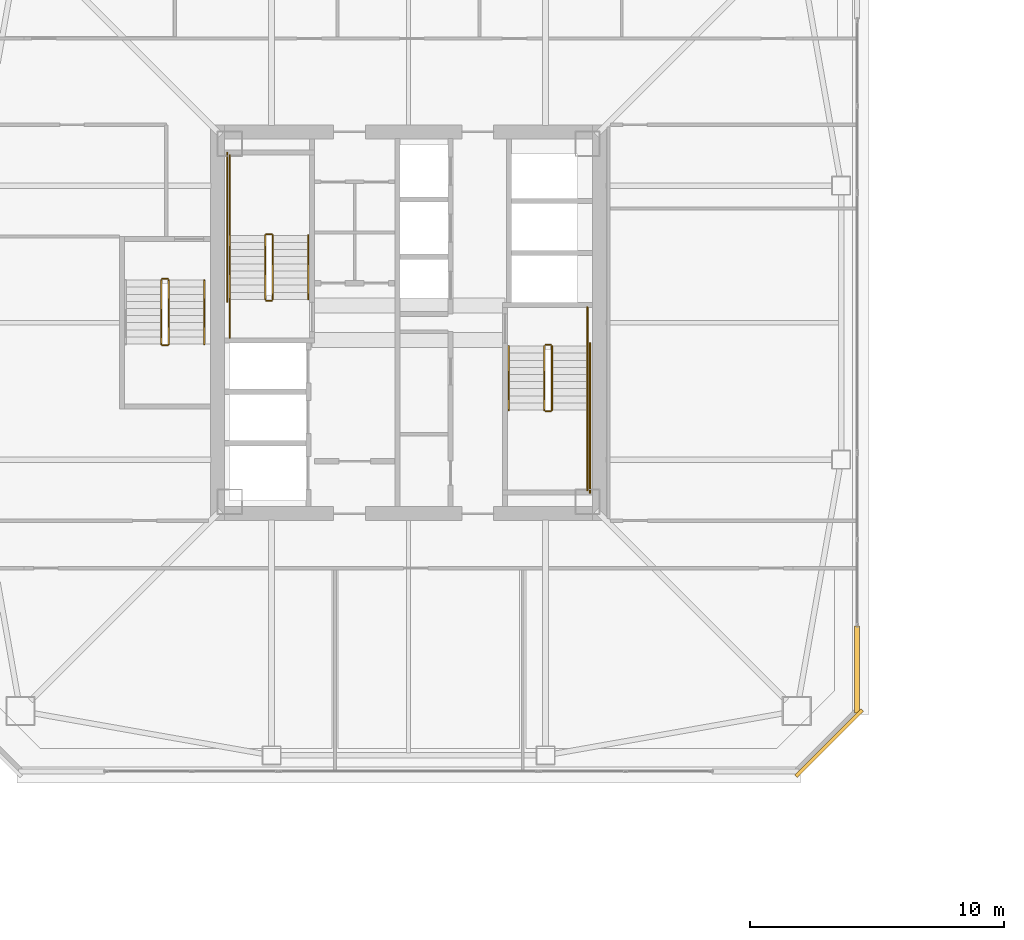
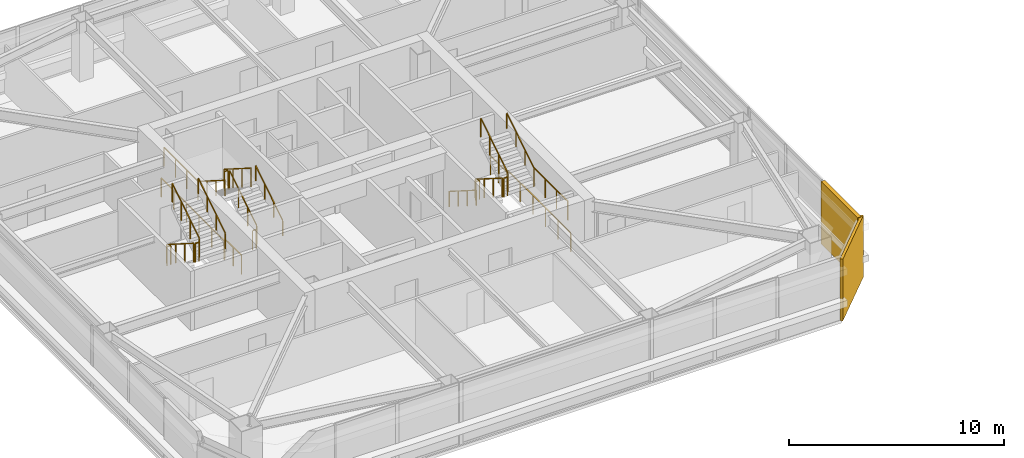
# One storey, part 39 of 43: 23 railings, 2 coverings.
"""IFC4 building model written with IfcOpenShell, lengths in metres."""

from ifc_helpers import new_model, si_unit, direction, frame, origin, origin_2d, place, context, subcontext, project, spatial, rectangle, extrude, material, layer, layer_set, type_object, element, save


model = new_model("IFC4")

# Units and contexts
model_context = context("Model", 3, precision=1e-05, world=origin(), true_north=direction((0.0, 1.0)))
body_context = subcontext(model_context, "Body", "Model", "MODEL_VIEW")
ifc_project = project(units=[si_unit("LENGTHUNIT", "METRE"), si_unit("AREAUNIT", "SQUARE_METRE"), si_unit("VOLUMEUNIT", "CUBIC_METRE"), si_unit("PLANEANGLEUNIT", "RADIAN"), si_unit("MASSUNIT", "GRAM", prefix="KILO")], contexts=[model_context])

# Site, building, storey
site_placement = place(None, origin())
site = spatial("IfcSite", under=ifc_project, at=site_placement, CompositionType="ELEMENT")
building_placement = place(site_placement, origin())
building = spatial("IfcBuilding", under=site, at=building_placement, Name="Tashvorn Skyway Center", CompositionType="ELEMENT")
storey_placement = place(building_placement, frame((0.0, 0.0, 160.550048828125)))
storey = spatial("IfcBuildingStorey", under=building, at=storey_placement, Name="L43", CompositionType="ELEMENT", Elevation=160.550048828125)

# Coverings
ifc_material_1 = material(Name="Precast concrete C40/50", Category="concrete")
ifc_layer_1 = layer(ifc_material_1, 0.199951171875)
ifc_layer_set_1 = layer_set([ifc_layer_1], Name="Precast concrete C40/50")
covering_type_1 = type_object("IfcCoveringType", Name="COV-BRACE-CLAD", PredefinedType="CLADDING", material=ifc_layer_set_1)
covering_1_placement = place(storey_placement, frame((59.679931640625, 18.328857421875, 0.0), z_axis=(0.0, 0.0, 1.0), x_axis=(0.0, -1.0, 0.0)))
element("IfcCovering", 1, at=covering_1_placement, inside=storey, type_object=covering_type_1, Name="Tower 1 L43 East Unitised Curtain Wall Mega-Brace Cladding Band 2", PredefinedType="CLADDING", context=body_context, shape_type="SweptSolid", body=[
    extrude(rectangle(XDim=3.417724609375, YDim=0.199951171875, at=origin_2d()), origin(), (0.0, 0.0, 1.0), 3.550048828125),
])
ifc_layer_2 = layer(ifc_material_1, 0.35009765625)
ifc_layer_set_2 = layer_set([ifc_layer_2], Name="Precast concrete C40/50")
covering_type_2 = type_object("IfcCoveringType", Name="COV-STONE-TRIM", PredefinedType="CLADDING", material=ifc_layer_set_2)
covering_2_placement = place(storey_placement, frame((58.570068359375, 15.429931640625, 0.02001953125), z_axis=(0.0, 0.0, 1.0), x_axis=(0.707106781187, 0.707106781187, 0.0)))
element("IfcCovering", 2, at=covering_2_placement, inside=storey, type_object=covering_type_2, Name="Tower 1 L43 SE Mojave Limestone Corner Quoin", PredefinedType="CLADDING", context=body_context, shape_type="SweptSolid", body=[
    extrude(rectangle(XDim=3.695556640625, YDim=0.139892578125, at=origin_2d()), origin(), (0.0, 0.0, 1.0), 3.510009765625),
])

# Railings
ifc_material_2 = material(Name="Brushed stainless steel 316", Category="steel")
railing_type_1 = type_object("IfcRailingType", Name="RAIL-HAND-920", PredefinedType="HANDRAIL", material=ifc_material_2)
railing_1_placement = place(storey_placement, frame((38.050048828125, 32.919921875, 0.177490234375)))
element("IfcRailing", 3, at=railing_1_placement, inside=storey, type_object=railing_type_1, Name="L43 ST-T1-1 stair handrail 1", PredefinedType="HANDRAIL", context=body_context, shape_type="SweptSolid", body=[
    extrude(rectangle(XDim=0.048095703125, YDim=0.048095703125, at=origin_2d()), frame((0.0, 0.0, 0.8759765625), z_axis=(0.0, 0.84460694969, 0.535386869969), x_axis=(-1.0, 0.0, 0.0)), (0.0, 0.0, 1.0), 2.983642578125),
    extrude(rectangle(XDim=0.0419921875, YDim=0.0419921875, at=origin_2d()), origin(), (0.0, 0.0, 1.0), 0.851806640625),
    extrude(rectangle(XDim=0.0419921875, YDim=0.0419921875, at=origin_2d()), frame((0.0, 0.840087890625, 0.532470703125)), (0.0, 0.0, 1.0), 0.851806640625),
    extrude(rectangle(XDim=0.0419921875, YDim=0.0419921875, at=origin_2d()), frame((0.0, 1.679931640625, 1.06494140625)), (0.0, 0.0, 1.0), 0.851806640625),
    extrude(rectangle(XDim=0.0419921875, YDim=0.0419921875, at=origin_2d()), frame((0.0, 2.52001953125, 1.597412109375)), (0.0, 0.0, 1.0), 0.851806640625),
])
railing_2_placement = place(storey_placement, frame((34.949951171875, 35.43994140625, 1.952392578125)))
element("IfcRailing", 4, at=railing_2_placement, inside=storey, type_object=railing_type_1, Name="L43 ST-T1-1 stair handrail 2", PredefinedType="HANDRAIL", context=body_context, shape_type="SweptSolid", body=[
    extrude(rectangle(XDim=0.048095703125, YDim=0.048095703125, at=origin_2d()), frame((0.0, 0.0, 0.8759765625), z_axis=(0.0, -0.84456994832, 0.535445237532), x_axis=(1.0, 0.0, 0.0)), (0.0, 0.0, 1.0), 2.98388671875),
    extrude(rectangle(XDim=0.0419921875, YDim=0.0419921875, at=origin_2d()), origin(), (0.0, 0.0, 1.0), 0.851806640625),
    extrude(rectangle(XDim=0.0419921875, YDim=0.0419921875, at=origin_2d()), frame((0.0, -0.840087890625, 0.532470703125)), (0.0, 0.0, 1.0), 0.851806640625),
    extrude(rectangle(XDim=0.0419921875, YDim=0.0419921875, at=origin_2d()), frame((0.0, -1.679931640625, 1.065185546875)), (0.0, 0.0, 1.0), 0.851806640625),
    extrude(rectangle(XDim=0.0419921875, YDim=0.0419921875, at=origin_2d()), frame((0.0, -2.52001953125, 1.59765625)), (0.0, 0.0, 1.0), 0.851806640625),
])
railing_3_placement = place(storey_placement, frame((45.949951171875, 31.080078125, 0.177490234375)))
element("IfcRailing", 5, at=railing_3_placement, inside=storey, type_object=railing_type_1, Name="L43 ST-T1-2 stair handrail 1", PredefinedType="HANDRAIL", context=body_context, shape_type="SweptSolid", body=[
    extrude(rectangle(XDim=0.048095703125, YDim=0.048095703125, at=origin_2d()), frame((0.0, 0.0, 0.8759765625), z_axis=(0.0, -0.84460694969, 0.535386869969), x_axis=(1.0, 0.0, 0.0)), (0.0, 0.0, 1.0), 2.983642578125),
    extrude(rectangle(XDim=0.0419921875, YDim=0.0419921875, at=origin_2d()), origin(), (0.0, 0.0, 1.0), 0.851806640625),
    extrude(rectangle(XDim=0.0419921875, YDim=0.0419921875, at=origin_2d()), frame((0.0, -0.840087890625, 0.532470703125)), (0.0, 0.0, 1.0), 0.851806640625),
    extrude(rectangle(XDim=0.0419921875, YDim=0.0419921875, at=origin_2d()), frame((0.0, -1.679931640625, 1.06494140625)), (0.0, 0.0, 1.0), 0.851806640625),
    extrude(rectangle(XDim=0.0419921875, YDim=0.0419921875, at=origin_2d()), frame((0.0, -2.52001953125, 1.597412109375)), (0.0, 0.0, 1.0), 0.851806640625),
])
for number, where, name in (
    (6, (49.050048828125, 28.56005859375, 1.952392578125), "L43 ST-T1-2 stair handrail 2"),
    (7, (33.949951171875, 31.159912109375, 1.952392578125), "L43 ST-T1-3 stair handrail 2"),
):
    element("IfcRailing", number, at=place(storey_placement, frame(where)), inside=storey, type_object=railing_type_1, Name=name, PredefinedType="HANDRAIL", context=body_context, shape_type="SweptSolid", body=[
        extrude(rectangle(XDim=0.048095703125, YDim=0.048095703125, at=origin_2d()), frame((0.0, 0.0, 0.8759765625), z_axis=(0.0, 0.84456994832, 0.535445237532), x_axis=(-1.0, 0.0, 0.0)), (0.0, 0.0, 1.0), 2.98388671875),
        extrude(rectangle(XDim=0.0419921875, YDim=0.0419921875, at=origin_2d()), origin(), (0.0, 0.0, 1.0), 0.851806640625),
        extrude(rectangle(XDim=0.0419921875, YDim=0.0419921875, at=origin_2d()), frame((0.0, 0.840087890625, 0.532470703125)), (0.0, 0.0, 1.0), 0.851806640625),
        extrude(rectangle(XDim=0.0419921875, YDim=0.0419921875, at=origin_2d()), frame((0.0, 1.679931640625, 1.065185546875)), (0.0, 0.0, 1.0), 0.851806640625),
        extrude(rectangle(XDim=0.0419921875, YDim=0.0419921875, at=origin_2d()), frame((0.0, 2.52001953125, 1.59765625)), (0.0, 0.0, 1.0), 0.851806640625),
    ])
ifc_material_3 = material(Name="Painted galvanized steel S355", Category="steel")
railing_type_2 = type_object("IfcRailingType", Name="RAIL-STGUARD-1100", PredefinedType="GUARDRAIL", material=ifc_material_3)
railing_4_placement = place(storey_placement, frame((36.64990234375, 32.919921875, 0.177490234375)))
element("IfcRailing", 8, at=railing_4_placement, inside=storey, type_object=railing_type_2, Name="L43 ST-T1-1 stair guard 1", PredefinedType="GUARDRAIL", context=body_context, shape_type="SweptSolid", body=[
    extrude(rectangle(XDim=0.048095703125, YDim=0.048095703125, at=origin_2d()), frame((0.0, 0.0, 1.076171875), z_axis=(0.0, 0.84460694969, 0.535386869969), x_axis=(-1.0, 0.0, 0.0)), (0.0, 0.0, 1.0), 2.983642578125),
    extrude(rectangle(XDim=0.0419921875, YDim=0.0419921875, at=origin_2d()), origin(), (0.0, 0.0, 1.0), 1.052001953125),
    extrude(rectangle(XDim=0.0419921875, YDim=0.0419921875, at=origin_2d()), frame((0.0, 0.840087890625, 0.532470703125)), (0.0, 0.0, 1.0), 1.052001953125),
    extrude(rectangle(XDim=0.0419921875, YDim=0.0419921875, at=origin_2d()), frame((0.0, 1.679931640625, 1.06494140625)), (0.0, 0.0, 1.0), 1.052001953125),
    extrude(rectangle(XDim=0.0419921875, YDim=0.0419921875, at=origin_2d()), frame((0.0, 2.52001953125, 1.597412109375)), (0.0, 0.0, 1.0), 1.052001953125),
])
railing_5_placement = place(storey_placement, frame((36.60009765625, 35.489990234375, 1.77490234375)))
element("IfcRailing", 9, at=railing_5_placement, inside=storey, type_object=railing_type_2, Name="L43 ST-T1-1 stair guard 2", PredefinedType="GUARDRAIL", context=body_context, shape_type="SweptSolid", body=[
    extrude(rectangle(XDim=0.048095703125, YDim=0.048095703125, at=origin_2d()), frame((0.0, 0.0, 1.076171875), z_axis=(-1.0, 0.0, 0.0), x_axis=(0.0, -1.0, 0.0)), (0.0, 0.0, 1.0), 0.2001953125),
    extrude(rectangle(XDim=0.0419921875, YDim=0.0419921875, at=origin_2d()), origin(), (0.0, 0.0, 1.0), 1.052001953125),
    extrude(rectangle(XDim=0.0419921875, YDim=0.0419921875, at=origin_2d()), frame((-0.2001953125, 0.0, 0.0)), (0.0, 0.0, 1.0), 1.052001953125),
])
railing_6_placement = place(storey_placement, frame((34.949951171875, 35.43994140625, 1.77490234375)))
element("IfcRailing", 10, at=railing_6_placement, inside=storey, type_object=railing_type_2, Name="L43 ST-T1-1 stair guard 3", PredefinedType="GUARDRAIL", context=body_context, shape_type="SweptSolid", body=[
    extrude(rectangle(XDim=0.048095703125, YDim=0.048095703125, at=origin_2d()), frame((0.0, 0.0, 1.076171875), z_axis=(0.0, 1.0, 0.0), x_axis=(-1.0, 0.0, 0.0)), (0.0, 0.0, 1.0), 3.16015625),
    extrude(rectangle(XDim=0.0419921875, YDim=0.0419921875, at=origin_2d()), origin(), (0.0, 0.0, 1.0), 1.052001953125),
    extrude(rectangle(XDim=0.0419921875, YDim=0.0419921875, at=origin_2d()), frame((0.0, 1.053466796875, 0.0)), (0.0, 0.0, 1.0), 1.052001953125),
    extrude(rectangle(XDim=0.0419921875, YDim=0.0419921875, at=origin_2d()), frame((0.0, 2.106689453125, 0.0)), (0.0, 0.0, 1.0), 1.052001953125),
    extrude(rectangle(XDim=0.0419921875, YDim=0.0419921875, at=origin_2d()), frame((0.0, 3.16015625, 0.0)), (0.0, 0.0, 1.0), 1.052001953125),
])
railing_7_placement = place(storey_placement, frame((36.35009765625, 35.43994140625, 1.952392578125)))
element("IfcRailing", 11, at=railing_7_placement, inside=storey, type_object=railing_type_2, Name="L43 ST-T1-1 stair guard 4", PredefinedType="GUARDRAIL", context=body_context, shape_type="SweptSolid", body=[
    extrude(rectangle(XDim=0.048095703125, YDim=0.048095703125, at=origin_2d()), frame((0.0, 0.0, 1.076171875), z_axis=(0.0, -0.84456994832, 0.535445237532), x_axis=(1.0, 0.0, 0.0)), (0.0, 0.0, 1.0), 2.98388671875),
    extrude(rectangle(XDim=0.0419921875, YDim=0.0419921875, at=origin_2d()), origin(), (0.0, 0.0, 1.0), 1.052001953125),
    extrude(rectangle(XDim=0.0419921875, YDim=0.0419921875, at=origin_2d()), frame((0.0, -0.840087890625, 0.532470703125)), (0.0, 0.0, 1.0), 1.052001953125),
    extrude(rectangle(XDim=0.0419921875, YDim=0.0419921875, at=origin_2d()), frame((0.0, -1.679931640625, 1.065185546875)), (0.0, 0.0, 1.0), 1.052001953125),
    extrude(rectangle(XDim=0.0419921875, YDim=0.0419921875, at=origin_2d()), frame((0.0, -2.52001953125, 1.59765625)), (0.0, 0.0, 1.0), 1.052001953125),
])
railing_8_placement = place(storey_placement, frame((36.60009765625, 32.8701171875, 0.0)))
element("IfcRailing", 12, at=railing_8_placement, inside=storey, type_object=railing_type_2, Name="L43 ST-T1-1 stair guard 5", PredefinedType="GUARDRAIL", context=body_context, shape_type="SweptSolid", body=[
    extrude(rectangle(XDim=0.048095703125, YDim=0.048095703125, at=origin_2d()), frame((0.0, 0.0, 1.076171875), z_axis=(-1.0, 0.0, 0.0), x_axis=(0.0, -1.0, 0.0)), (0.0, 0.0, 1.0), 0.2001953125),
    extrude(rectangle(XDim=0.0419921875, YDim=0.0419921875, at=origin_2d()), origin(), (0.0, 0.0, 1.0), 1.052001953125),
    extrude(rectangle(XDim=0.0419921875, YDim=0.0419921875, at=origin_2d()), frame((-0.2001953125, 0.0, 0.0)), (0.0, 0.0, 1.0), 1.052001953125),
])
railing_9_placement = place(storey_placement, frame((34.949951171875, 31.39990234375, 0.0)))
element("IfcRailing", 13, at=railing_9_placement, inside=storey, type_object=railing_type_2, Name="L43 ST-T1-1 stair guard 6", PredefinedType="GUARDRAIL", context=body_context, shape_type="SweptSolid", body=[
    extrude(rectangle(XDim=0.048095703125, YDim=0.048095703125, at=origin_2d()), frame((0.0, 0.0, 1.076171875), z_axis=(0.0, 1.0, 0.0), x_axis=(-1.0, 0.0, 0.0)), (0.0, 0.0, 1.0), 1.52001953125),
    extrude(rectangle(XDim=0.0419921875, YDim=0.0419921875, at=origin_2d()), origin(), (0.0, 0.0, 1.0), 1.052001953125),
    extrude(rectangle(XDim=0.0419921875, YDim=0.0419921875, at=origin_2d()), frame((0.0, 0.760009765625, 0.0)), (0.0, 0.0, 1.0), 1.052001953125),
    extrude(rectangle(XDim=0.0419921875, YDim=0.0419921875, at=origin_2d()), frame((0.0, 1.52001953125, 0.0)), (0.0, 0.0, 1.0), 1.052001953125),
])
railing_10_placement = place(storey_placement, frame((34.85009765625, 32.820068359375, 0.0)))
element("IfcRailing", 14, at=railing_10_placement, inside=storey, type_object=railing_type_2, Name="L43 ST-T1-1 stair guard 7", PredefinedType="GUARDRAIL", context=body_context, shape_type="SweptSolid", body=[
    extrude(rectangle(XDim=0.048095703125, YDim=0.048095703125, at=origin_2d()), frame((0.0, 0.0, 1.076171875), z_axis=(0.0, 1.0, 0.0), x_axis=(-1.0, 0.0, 0.0)), (0.0, 0.0, 1.0), 5.8798828125),
    extrude(rectangle(XDim=0.0419921875, YDim=0.0419921875, at=origin_2d()), origin(), (0.0, 0.0, 1.0), 1.052001953125),
    extrude(rectangle(XDim=0.0419921875, YDim=0.0419921875, at=origin_2d()), frame((0.0, 1.176025390625, 0.0)), (0.0, 0.0, 1.0), 1.052001953125),
    extrude(rectangle(XDim=0.0419921875, YDim=0.0419921875, at=origin_2d()), frame((0.0, 2.35205078125, 0.0)), (0.0, 0.0, 1.0), 1.052001953125),
    extrude(rectangle(XDim=0.0419921875, YDim=0.0419921875, at=origin_2d()), frame((0.0, 3.52783203125, 0.0)), (0.0, 0.0, 1.0), 1.052001953125),
    extrude(rectangle(XDim=0.0419921875, YDim=0.0419921875, at=origin_2d()), frame((0.0, 4.703857421875, 0.0)), (0.0, 0.0, 1.0), 1.052001953125),
    extrude(rectangle(XDim=0.0419921875, YDim=0.0419921875, at=origin_2d()), frame((0.0, 5.8798828125, 0.0)), (0.0, 0.0, 1.0), 1.052001953125),
])
railing_11_placement = place(storey_placement, frame((47.35009765625, 31.080078125, 0.177490234375)))
element("IfcRailing", 15, at=railing_11_placement, inside=storey, type_object=railing_type_2, Name="L43 ST-T1-2 stair guard 1", PredefinedType="GUARDRAIL", context=body_context, shape_type="SweptSolid", body=[
    extrude(rectangle(XDim=0.048095703125, YDim=0.048095703125, at=origin_2d()), frame((0.0, 0.0, 1.076171875), z_axis=(0.0, -0.84460694969, 0.535386869969), x_axis=(1.0, 0.0, 0.0)), (0.0, 0.0, 1.0), 2.983642578125),
    extrude(rectangle(XDim=0.0419921875, YDim=0.0419921875, at=origin_2d()), origin(), (0.0, 0.0, 1.0), 1.052001953125),
    extrude(rectangle(XDim=0.0419921875, YDim=0.0419921875, at=origin_2d()), frame((0.0, -0.840087890625, 0.532470703125)), (0.0, 0.0, 1.0), 1.052001953125),
    extrude(rectangle(XDim=0.0419921875, YDim=0.0419921875, at=origin_2d()), frame((0.0, -1.679931640625, 1.06494140625)), (0.0, 0.0, 1.0), 1.052001953125),
    extrude(rectangle(XDim=0.0419921875, YDim=0.0419921875, at=origin_2d()), frame((0.0, -2.52001953125, 1.597412109375)), (0.0, 0.0, 1.0), 1.052001953125),
])
railing_12_placement = place(storey_placement, frame((47.39990234375, 28.510009765625, 1.77490234375)))
element("IfcRailing", 16, at=railing_12_placement, inside=storey, type_object=railing_type_2, Name="L43 ST-T1-2 stair guard 2", PredefinedType="GUARDRAIL", context=body_context, shape_type="SweptSolid", body=[
    extrude(rectangle(XDim=0.048095703125, YDim=0.048095703125, at=origin_2d()), frame((0.0, 0.0, 1.076171875), z_axis=(1.0, 0.0, 0.0), x_axis=(0.0, 1.0, 0.0)), (0.0, 0.0, 1.0), 0.2001953125),
    extrude(rectangle(XDim=0.0419921875, YDim=0.0419921875, at=origin_2d()), origin(), (0.0, 0.0, 1.0), 1.052001953125),
    extrude(rectangle(XDim=0.0419921875, YDim=0.0419921875, at=origin_2d()), frame((0.2001953125, 0.0, 0.0)), (0.0, 0.0, 1.0), 1.052001953125),
])
railing_13_placement = place(storey_placement, frame((49.050048828125, 28.56005859375, 1.77490234375)))
element("IfcRailing", 17, at=railing_13_placement, inside=storey, type_object=railing_type_2, Name="L43 ST-T1-2 stair guard 3", PredefinedType="GUARDRAIL", context=body_context, shape_type="SweptSolid", body=[
    extrude(rectangle(XDim=0.048095703125, YDim=0.048095703125, at=origin_2d()), frame((0.0, 0.0, 1.076171875), z_axis=(0.0, -1.0, 0.0), x_axis=(1.0, 0.0, 0.0)), (0.0, 0.0, 1.0), 3.16015625),
    extrude(rectangle(XDim=0.0419921875, YDim=0.0419921875, at=origin_2d()), origin(), (0.0, 0.0, 1.0), 1.052001953125),
    extrude(rectangle(XDim=0.0419921875, YDim=0.0419921875, at=origin_2d()), frame((0.0, -1.053466796875, 0.0)), (0.0, 0.0, 1.0), 1.052001953125),
    extrude(rectangle(XDim=0.0419921875, YDim=0.0419921875, at=origin_2d()), frame((0.0, -2.106689453125, 0.0)), (0.0, 0.0, 1.0), 1.052001953125),
    extrude(rectangle(XDim=0.0419921875, YDim=0.0419921875, at=origin_2d()), frame((0.0, -3.16015625, 0.0)), (0.0, 0.0, 1.0), 1.052001953125),
])
railing_14_placement = place(storey_placement, frame((47.64990234375, 28.56005859375, 1.952392578125)))
element("IfcRailing", 18, at=railing_14_placement, inside=storey, type_object=railing_type_2, Name="L43 ST-T1-2 stair guard 4", PredefinedType="GUARDRAIL", context=body_context, shape_type="SweptSolid", body=[
    extrude(rectangle(XDim=0.048095703125, YDim=0.048095703125, at=origin_2d()), frame((0.0, 0.0, 1.076171875), z_axis=(0.0, 0.84456994832, 0.535445237532), x_axis=(-1.0, 0.0, 0.0)), (0.0, 0.0, 1.0), 2.98388671875),
    extrude(rectangle(XDim=0.0419921875, YDim=0.0419921875, at=origin_2d()), origin(), (0.0, 0.0, 1.0), 1.052001953125),
    extrude(rectangle(XDim=0.0419921875, YDim=0.0419921875, at=origin_2d()), frame((0.0, 0.840087890625, 0.532470703125)), (0.0, 0.0, 1.0), 1.052001953125),
    extrude(rectangle(XDim=0.0419921875, YDim=0.0419921875, at=origin_2d()), frame((0.0, 1.679931640625, 1.065185546875)), (0.0, 0.0, 1.0), 1.052001953125),
    extrude(rectangle(XDim=0.0419921875, YDim=0.0419921875, at=origin_2d()), frame((0.0, 2.52001953125, 1.59765625)), (0.0, 0.0, 1.0), 1.052001953125),
])
railing_15_placement = place(storey_placement, frame((47.39990234375, 31.1298828125, 0.0)))
element("IfcRailing", 19, at=railing_15_placement, inside=storey, type_object=railing_type_2, Name="L43 ST-T1-2 stair guard 5", PredefinedType="GUARDRAIL", context=body_context, shape_type="SweptSolid", body=[
    extrude(rectangle(XDim=0.048095703125, YDim=0.048095703125, at=origin_2d()), frame((0.0, 0.0, 1.076171875), z_axis=(1.0, 0.0, 0.0), x_axis=(0.0, 1.0, 0.0)), (0.0, 0.0, 1.0), 0.2001953125),
    extrude(rectangle(XDim=0.0419921875, YDim=0.0419921875, at=origin_2d()), origin(), (0.0, 0.0, 1.0), 1.052001953125),
    extrude(rectangle(XDim=0.0419921875, YDim=0.0419921875, at=origin_2d()), frame((0.2001953125, 0.0, 0.0)), (0.0, 0.0, 1.0), 1.052001953125),
])
railing_16_placement = place(storey_placement, frame((49.050048828125, 32.60009765625, 0.0)))
element("IfcRailing", 20, at=railing_16_placement, inside=storey, type_object=railing_type_2, Name="L43 ST-T1-2 stair guard 6", PredefinedType="GUARDRAIL", context=body_context, shape_type="SweptSolid", body=[
    extrude(rectangle(XDim=0.048095703125, YDim=0.048095703125, at=origin_2d()), frame((0.0, 0.0, 1.076171875), z_axis=(0.0, -1.0, 0.0), x_axis=(1.0, 0.0, 0.0)), (0.0, 0.0, 1.0), 1.52001953125),
    extrude(rectangle(XDim=0.0419921875, YDim=0.0419921875, at=origin_2d()), origin(), (0.0, 0.0, 1.0), 1.052001953125),
    extrude(rectangle(XDim=0.0419921875, YDim=0.0419921875, at=origin_2d()), frame((0.0, -0.760009765625, 0.0)), (0.0, 0.0, 1.0), 1.052001953125),
    extrude(rectangle(XDim=0.0419921875, YDim=0.0419921875, at=origin_2d()), frame((0.0, -1.52001953125, 0.0)), (0.0, 0.0, 1.0), 1.052001953125),
])
railing_17_placement = place(storey_placement, frame((49.14990234375, 31.179931640625, 0.0)))
element("IfcRailing", 21, at=railing_17_placement, inside=storey, type_object=railing_type_2, Name="L43 ST-T1-2 stair guard 7", PredefinedType="GUARDRAIL", context=body_context, shape_type="SweptSolid", body=[
    extrude(rectangle(XDim=0.048095703125, YDim=0.048095703125, at=origin_2d()), frame((0.0, 0.0, 1.076171875), z_axis=(0.0, -1.0, 0.0), x_axis=(1.0, 0.0, 0.0)), (0.0, 0.0, 1.0), 5.8798828125),
    extrude(rectangle(XDim=0.0419921875, YDim=0.0419921875, at=origin_2d()), origin(), (0.0, 0.0, 1.0), 1.052001953125),
    extrude(rectangle(XDim=0.0419921875, YDim=0.0419921875, at=origin_2d()), frame((0.0, -1.176025390625, 0.0)), (0.0, 0.0, 1.0), 1.052001953125),
    extrude(rectangle(XDim=0.0419921875, YDim=0.0419921875, at=origin_2d()), frame((0.0, -2.35205078125, 0.0)), (0.0, 0.0, 1.0), 1.052001953125),
    extrude(rectangle(XDim=0.0419921875, YDim=0.0419921875, at=origin_2d()), frame((0.0, -3.52783203125, 0.0)), (0.0, 0.0, 1.0), 1.052001953125),
    extrude(rectangle(XDim=0.0419921875, YDim=0.0419921875, at=origin_2d()), frame((0.0, -4.703857421875, 0.0)), (0.0, 0.0, 1.0), 1.052001953125),
    extrude(rectangle(XDim=0.0419921875, YDim=0.0419921875, at=origin_2d()), frame((0.0, -5.8798828125, 0.0)), (0.0, 0.0, 1.0), 1.052001953125),
])
railing_18_placement = place(storey_placement, frame((32.25, 33.679931640625, 0.177490234375)))
element("IfcRailing", 22, at=railing_18_placement, inside=storey, type_object=railing_type_2, Name="L43 ST-T1-3 stair guard 1", PredefinedType="GUARDRAIL", context=body_context, shape_type="SweptSolid", body=[
    extrude(rectangle(XDim=0.048095703125, YDim=0.048095703125, at=origin_2d()), frame((0.0, 0.0, 1.076171875), z_axis=(0.0, -0.84460694969, 0.535386869969), x_axis=(1.0, 0.0, 0.0)), (0.0, 0.0, 1.0), 2.983642578125),
    extrude(rectangle(XDim=0.0419921875, YDim=0.0419921875, at=origin_2d()), origin(), (0.0, 0.0, 1.0), 1.052001953125),
    extrude(rectangle(XDim=0.0419921875, YDim=0.0419921875, at=origin_2d()), frame((0.0, -0.840087890625, 0.532470703125)), (0.0, 0.0, 1.0), 1.052001953125),
    extrude(rectangle(XDim=0.0419921875, YDim=0.0419921875, at=origin_2d()), frame((0.0, -1.679931640625, 1.06494140625)), (0.0, 0.0, 1.0), 1.052001953125),
    extrude(rectangle(XDim=0.0419921875, YDim=0.0419921875, at=origin_2d()), frame((0.0, -2.52001953125, 1.597412109375)), (0.0, 0.0, 1.0), 1.052001953125),
])
railing_19_placement = place(storey_placement, frame((32.300048828125, 31.110107421875, 1.77490234375)))
element("IfcRailing", 23, at=railing_19_placement, inside=storey, type_object=railing_type_2, Name="L43 ST-T1-3 stair guard 2", PredefinedType="GUARDRAIL", context=body_context, shape_type="SweptSolid", body=[
    extrude(rectangle(XDim=0.048095703125, YDim=0.048095703125, at=origin_2d()), frame((0.0, 0.0, 1.076171875), z_axis=(1.0, 0.0, 0.0), x_axis=(0.0, 1.0, 0.0)), (0.0, 0.0, 1.0), 0.199951171875),
    extrude(rectangle(XDim=0.0419921875, YDim=0.0419921875, at=origin_2d()), origin(), (0.0, 0.0, 1.0), 1.052001953125),
    extrude(rectangle(XDim=0.0419921875, YDim=0.0419921875, at=origin_2d()), frame((0.199951171875, 0.0, 0.0)), (0.0, 0.0, 1.0), 1.052001953125),
])
railing_20_placement = place(storey_placement, frame((32.550048828125, 31.159912109375, 1.952392578125)))
element("IfcRailing", 24, at=railing_20_placement, inside=storey, type_object=railing_type_2, Name="L43 ST-T1-3 stair guard 3", PredefinedType="GUARDRAIL", context=body_context, shape_type="SweptSolid", body=[
    extrude(rectangle(XDim=0.048095703125, YDim=0.048095703125, at=origin_2d()), frame((0.0, 0.0, 1.076171875), z_axis=(0.0, 0.84456994832, 0.535445237532), x_axis=(-1.0, 0.0, 0.0)), (0.0, 0.0, 1.0), 2.98388671875),
    extrude(rectangle(XDim=0.0419921875, YDim=0.0419921875, at=origin_2d()), origin(), (0.0, 0.0, 1.0), 1.052001953125),
    extrude(rectangle(XDim=0.0419921875, YDim=0.0419921875, at=origin_2d()), frame((0.0, 0.840087890625, 0.532470703125)), (0.0, 0.0, 1.0), 1.052001953125),
    extrude(rectangle(XDim=0.0419921875, YDim=0.0419921875, at=origin_2d()), frame((0.0, 1.679931640625, 1.065185546875)), (0.0, 0.0, 1.0), 1.052001953125),
    extrude(rectangle(XDim=0.0419921875, YDim=0.0419921875, at=origin_2d()), frame((0.0, 2.52001953125, 1.59765625)), (0.0, 0.0, 1.0), 1.052001953125),
])
railing_21_placement = place(storey_placement, frame((32.300048828125, 33.72998046875, 0.0)))
element("IfcRailing", 25, at=railing_21_placement, inside=storey, type_object=railing_type_2, Name="L43 ST-T1-3 stair guard 4", PredefinedType="GUARDRAIL", context=body_context, shape_type="SweptSolid", body=[
    extrude(rectangle(XDim=0.048095703125, YDim=0.048095703125, at=origin_2d()), frame((0.0, 0.0, 1.076171875), z_axis=(1.0, 0.0, 0.0), x_axis=(0.0, 1.0, 0.0)), (0.0, 0.0, 1.0), 0.199951171875),
    extrude(rectangle(XDim=0.0419921875, YDim=0.0419921875, at=origin_2d()), origin(), (0.0, 0.0, 1.0), 1.052001953125),
    extrude(rectangle(XDim=0.0419921875, YDim=0.0419921875, at=origin_2d()), frame((0.199951171875, 0.0, 0.0)), (0.0, 0.0, 1.0), 1.052001953125),
])

save(model, "model.ifc")
